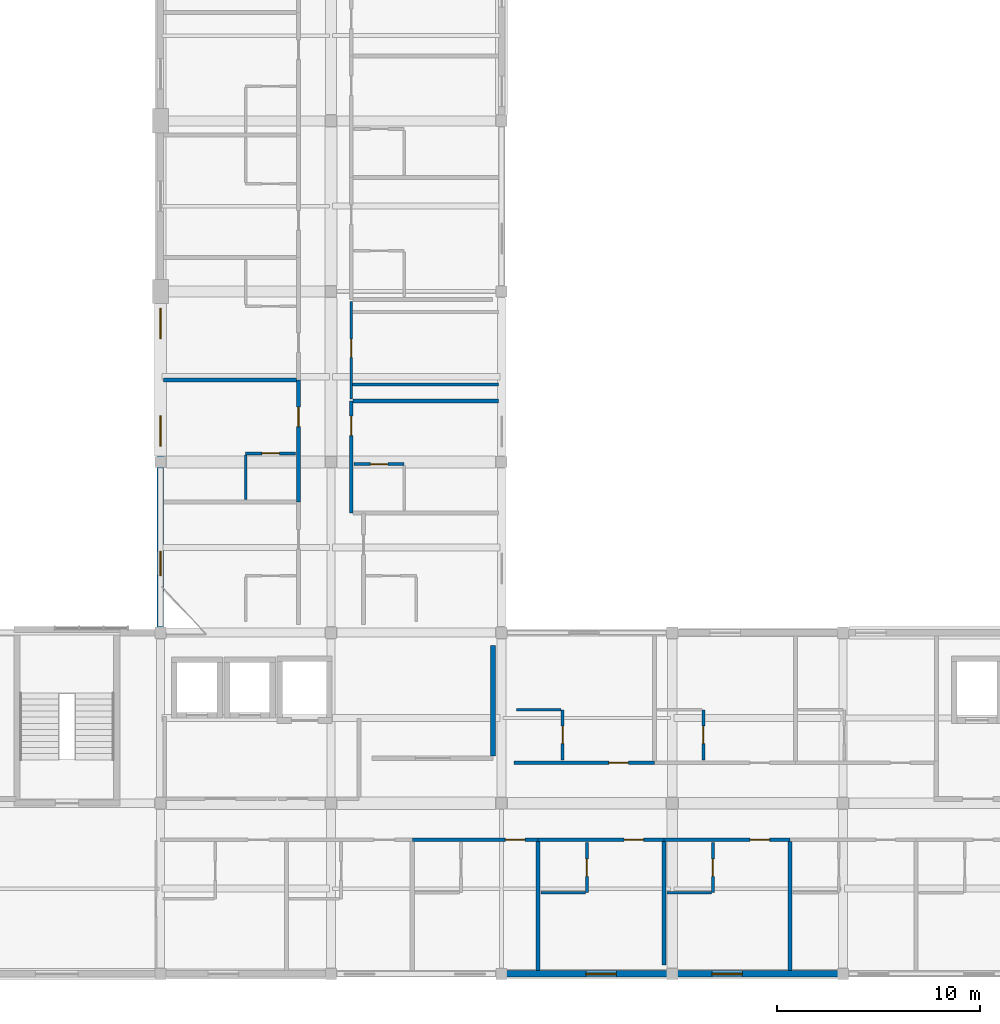
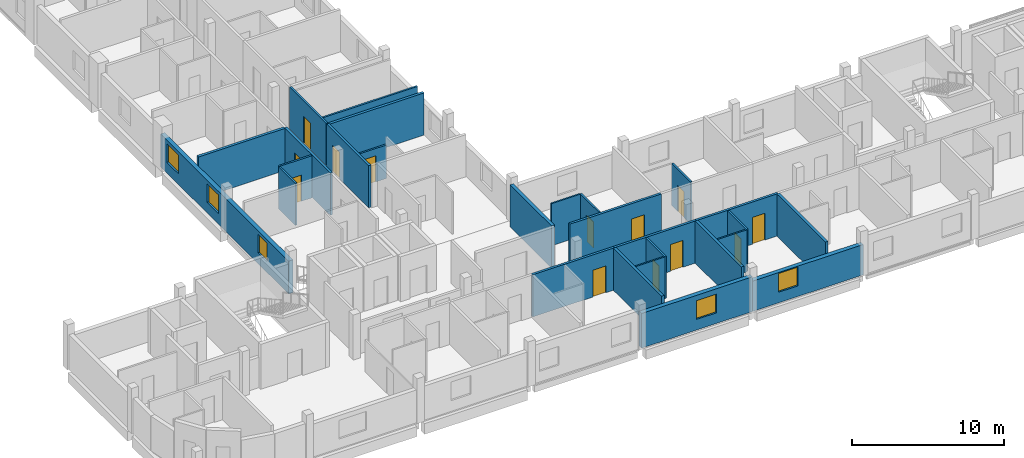
# One storey, part 14 of 26: 27 walls, 13 doors, 5 windows, 18 openings.
"""IFC4 building model written with IfcOpenShell, lengths in metres."""

from ifc_helpers import new_model, si_unit, derived_unit, direction, frame, frame_2d, origin, place, context, subcontext, project, spatial, rectangle, extrude, material, layer, layer_set, type_object, element, fill, save


model = new_model("IFC4")

# Units and contexts
model_context = context("Model", 3, precision=1e-05, world=origin(), true_north=direction((0.0, 1.0)))
body_context = subcontext(model_context, "Body", "Model", "MODEL_VIEW")
ifc_project = project(units=[si_unit("LENGTHUNIT", "METRE"), si_unit("AREAUNIT", "SQUARE_METRE"), si_unit("VOLUMEUNIT", "CUBIC_METRE"), si_unit("PLANEANGLEUNIT", "RADIAN"), si_unit("MASSUNIT", "GRAM", prefix="KILO"), derived_unit("THERMALTRANSMITTANCEUNIT", [(si_unit("POWERUNIT", "WATT"), 1), (si_unit("LENGTHUNIT", "METRE"), -2), (si_unit("THERMODYNAMICTEMPERATUREUNIT", "KELVIN"), -1)])], contexts=[model_context])

# Site, building, storey
site_placement = place(None, origin())
site = spatial("IfcSite", under=ifc_project, at=site_placement, CompositionType="ELEMENT")
building_placement = place(site_placement, origin())
building = spatial("IfcBuilding", under=site, at=building_placement, Name="Barrovel Congress Hotel", CompositionType="ELEMENT")
storey_placement = place(building_placement, frame((0.0, 0.0, 32.699951171875)))
storey = spatial("IfcBuildingStorey", under=building, at=storey_placement, Name="L08", CompositionType="ELEMENT", Elevation=32.699951171875)

# Wall, openings, windows
ifc_material_1 = material(Name="Fired Clay Brick Masonry", Category="masonry")
ifc_layer_1 = layer(ifc_material_1, 0.320068359375)
ifc_layer_set_1 = layer_set([ifc_layer_1], Name="Fired Clay Brick Masonry")
wall_type_1 = type_object("IfcWallType", Name="EW-BRK320", PredefinedType="STANDARD", material=ifc_layer_set_1)
wall_1_placement = place(storey_placement, frame((33.60009765625, 37.800048828125, 0.0), z_axis=(0.0, 0.0, 1.0), x_axis=(0.0, -1.0, 0.0)))
wall_1 = element("IfcWall", 1, at=wall_1_placement, inside=storey, type_object=wall_type_1, Name="EW:L08:HW-W", PredefinedType="STANDARD", context=body_context, shape_type="SweptSolid", body=[
    extrude(rectangle(XDim=16.800048828125, YDim=0.320068359375, at=frame_2d((8.39990234375, 0.0))), origin(), (0.0, 0.0, 1.0), 2.630126953125),
])
opening_1_placement = place(wall_1_placement, frame((12.78759765625, 0.0, 0.85009765625)))
opening_1 = element("IfcOpeningElement", 2, at=opening_1_placement, cuts=wall_1, Name="Opening WN-06", PredefinedType="OPENING", context=body_context, shape_type="SweptSolid", body=[
    extrude(rectangle(XDim=1.199951171875, YDim=1.5, at=frame_2d((0.60009765625, 0.75))), frame((0.0, 0.169921875, 0.0), z_axis=(0.0, -1.0, 0.0), x_axis=(1.0, 0.0, 0.0)), (0.0, 0.0, 1.0), 0.340087890625),
])
opening_2_placement = place(wall_1_placement, frame((6.112548828125, 0.0, 0.85009765625)))
opening_2 = element("IfcOpeningElement", 3, at=opening_2_placement, cuts=wall_1, Name="Opening WN-07", PredefinedType="OPENING", context=body_context, shape_type="SweptSolid", body=[
    extrude(rectangle(XDim=1.5, YDim=1.5, at=frame_2d((0.75, 0.75))), frame((0.0, 0.169921875, 0.0), z_axis=(0.0, -1.0, 0.0), x_axis=(1.0, 0.0, 0.0)), (0.0, 0.0, 1.0), 0.340087890625),
])
opening_3_placement = place(wall_1_placement, frame((0.83740234375, 0.0, 0.85009765625)))
opening_3 = element("IfcOpeningElement", 4, at=opening_3_placement, cuts=wall_1, Name="Opening WN-07", PredefinedType="OPENING", context=body_context, shape_type="SweptSolid", body=[
    extrude(rectangle(XDim=1.5, YDim=1.5, at=frame_2d((0.75, 0.75))), frame((0.0, 0.169921875, 0.0), z_axis=(0.0, -1.0, 0.0), x_axis=(1.0, 0.0, 0.0)), (0.0, 0.0, 1.0), 0.340087890625),
])
ifc_material_2 = material(Name="Double Low-E Insulated Glazing", Category="glass")
window_type_1 = type_object("IfcWindowType", Name="WIN-WN-06", PartitioningType="SINGLE_PANEL", PredefinedType="WINDOW", material=ifc_material_2)
window_1_placement = place(opening_1_placement, origin())
window_1 = element("IfcWindow", 5, at=window_1_placement, inside=storey, type_object=window_type_1, Name="WIN:L08:U25", OverallHeight=1.5, OverallWidth=1.199951171875, PartitioningType="SINGLE_PANEL", PredefinedType="WINDOW", context=body_context, shape_type="SweptSolid", body=[
    extrude(rectangle(XDim=1.199951171875, YDim=1.5, at=frame_2d((0.60009765625, 0.75))), frame((0.0, 0.030029296875, 0.0), z_axis=(0.0, -1.0, 0.0), x_axis=(1.0, 0.0, 0.0)), (0.0, 0.0, 1.0), 0.06005859375),
])
fill(opening_1, window_1)
window_type_2 = type_object("IfcWindowType", Name="WIN-WN-07", PartitioningType="SINGLE_PANEL", PredefinedType="WINDOW", material=ifc_material_2)
window_2_placement = place(opening_2_placement, origin())
window_2 = element("IfcWindow", 6, at=window_2_placement, inside=storey, type_object=window_type_2, Name="WIN:L08:U26", OverallHeight=1.5, OverallWidth=1.5, PartitioningType="SINGLE_PANEL", PredefinedType="WINDOW", context=body_context, shape_type="SweptSolid", body=[
    extrude(rectangle(XDim=1.5, YDim=1.5, at=frame_2d((0.75, 0.75))), frame((0.0, 0.030029296875, 0.0), z_axis=(0.0, -1.0, 0.0), x_axis=(1.0, 0.0, 0.0)), (0.0, 0.0, 1.0), 0.06005859375),
])
fill(opening_2, window_2)
window_3_placement = place(opening_3_placement, origin())
window_3 = element("IfcWindow", 7, at=window_3_placement, inside=storey, type_object=window_type_2, Name="WIN:L08:U27", OverallHeight=1.5, OverallWidth=1.5, PartitioningType="SINGLE_PANEL", PredefinedType="WINDOW", context=body_context, shape_type="SweptSolid", body=[
    extrude(rectangle(XDim=1.5, YDim=1.5, at=frame_2d((0.75, 0.75))), frame((0.0, 0.030029296875, 0.0), z_axis=(0.0, -1.0, 0.0), x_axis=(1.0, 0.0, 0.0)), (0.0, 0.0, 1.0), 0.06005859375),
])
fill(opening_3, window_3)

# Wall, opening, window
wall_2_placement = place(storey_placement, frame((50.39990234375, 4.199951171875, 0.0), z_axis=(0.0, 0.0, 1.0), x_axis=(1.0, 0.0, 0.0)))
wall_2 = element("IfcWall", 8, at=wall_2_placement, inside=storey, type_object=wall_type_1, Name="EW:L08:HS-S:P05", PredefinedType="STANDARD", context=body_context, shape_type="SweptSolid", body=[
    extrude(rectangle(XDim=8.400146484375, YDim=0.320068359375, at=frame_2d((4.2001953125, 0.0))), origin(), (0.0, 0.0, 1.0), 2.780029296875),
])
opening_4_placement = place(wall_2_placement, frame((4.14990234375, 0.0, 0.85009765625)))
opening_4 = element("IfcOpeningElement", 9, at=opening_4_placement, cuts=wall_2, Name="Opening WN-07", PredefinedType="OPENING", context=body_context, shape_type="SweptSolid", body=[
    extrude(rectangle(XDim=1.5, YDim=1.5, at=frame_2d((0.75, 0.75))), frame((0.0, 0.169921875, 0.0), z_axis=(0.0, -1.0, 0.0), x_axis=(1.0, 0.0, 0.0)), (0.0, 0.0, 1.0), 0.340087890625),
])
window_4_placement = place(opening_4_placement, origin())
window_4 = element("IfcWindow", 10, at=window_4_placement, inside=storey, type_object=window_type_2, Name="WIN:L08:U05", OverallHeight=1.5, OverallWidth=1.5, PartitioningType="SINGLE_PANEL", PredefinedType="WINDOW", context=body_context, shape_type="SweptSolid", body=[
    extrude(rectangle(XDim=1.5, YDim=1.5, at=frame_2d((0.75, 0.75))), frame((0.0, 0.030029296875, 0.0), z_axis=(0.0, -1.0, 0.0), x_axis=(1.0, 0.0, 0.0)), (0.0, 0.0, 1.0), 0.06005859375),
])
fill(opening_4, window_4)

wall_3_placement = place(storey_placement, frame((58.800048828125, 4.199951171875, 0.0), z_axis=(0.0, 0.0, 1.0), x_axis=(1.0, 0.0, 0.0)))
wall_3 = element("IfcWall", 11, at=wall_3_placement, inside=storey, type_object=wall_type_1, Name="EW:L08:HS-S:P06", PredefinedType="STANDARD", context=body_context, shape_type="SweptSolid", body=[
    extrude(rectangle(XDim=8.39990234375, YDim=0.320068359375, at=frame_2d((4.199951171875, 0.0))), origin(), (0.0, 0.0, 1.0), 2.429931640625),
])
opening_5_placement = place(wall_3_placement, frame((1.949951171875, 0.0, 0.85009765625)))
opening_5 = element("IfcOpeningElement", 12, at=opening_5_placement, cuts=wall_3, Name="Opening WN-07", PredefinedType="OPENING", context=body_context, shape_type="SweptSolid", body=[
    extrude(rectangle(XDim=1.5, YDim=1.5, at=frame_2d((0.75, 0.75))), frame((0.0, 0.169921875, 0.0), z_axis=(0.0, -1.0, 0.0), x_axis=(1.0, 0.0, 0.0)), (0.0, 0.0, 1.0), 0.340087890625),
])
window_5_placement = place(opening_5_placement, origin())
window_5 = element("IfcWindow", 13, at=window_5_placement, inside=storey, type_object=window_type_2, Name="WIN:L08:U06", OverallHeight=1.5, OverallWidth=1.5, PartitioningType="SINGLE_PANEL", PredefinedType="WINDOW", context=body_context, shape_type="SweptSolid", body=[
    extrude(rectangle(XDim=1.5, YDim=1.5, at=frame_2d((0.75, 0.75))), frame((0.0, 0.030029296875, 0.0), z_axis=(0.0, -1.0, 0.0), x_axis=(1.0, 0.0, 0.0)), (0.0, 0.0, 1.0), 0.06005859375),
])
fill(opening_5, window_5)

# Wall, opening, door
ifc_material_3 = material(Name="Gypsum Acoustic Stud", Category="gypsum")
ifc_layer_2 = layer(ifc_material_3, 0.179931640625)
ifc_layer_set_2 = layer_set([ifc_layer_2], Name="Gypsum Acoustic Stud")
wall_type_2 = type_object("IfcWallType", Name="PW-ACU-180", PredefinedType="PARTITIONING", material=ifc_layer_set_2)
wall_4_placement = place(storey_placement, frame((46.0, 10.800048828125, 0.0), z_axis=(0.0, 0.0, 1.0), x_axis=(1.0, 0.0, 0.0)))
wall_4 = element("IfcWall", 14, at=wall_4_placement, inside=storey, type_object=wall_type_2, Name="PW:L08:U04:COR", PredefinedType="PARTITIONING", context=body_context, shape_type="SweptSolid", body=[
    extrude(rectangle(XDim=6.199951171875, YDim=0.179931640625, at=frame_2d((3.10009765625, 0.0))), origin(), (0.0, 0.0, 1.0), 3.375),
])
opening_6_placement = place(wall_4_placement, frame((4.5810546875, 0.0, 0.0)))
opening_6 = element("IfcOpeningElement", 15, at=opening_6_placement, cuts=wall_4, Name="Opening ID-HTL", PredefinedType="OPENING", context=body_context, shape_type="SweptSolid", body=[
    extrude(rectangle(XDim=0.9599609375, YDim=2.14990234375, at=frame_2d((0.47998046875, 1.074951171875))), frame((0.0, 0.10009765625, 0.0), z_axis=(0.0, -1.0, 0.0), x_axis=(1.0, 0.0, 0.0)), (0.0, 0.0, 1.0), 0.199951171875),
])
ifc_material_4 = material(Name="Solid Oak Acoustic Timber Door", Category="wood")
door_type_1 = type_object("IfcDoorType", Name="IDR-ID-HTL", OperationType="NOTDEFINED", PredefinedType="DOOR", material=ifc_material_4)
door_1_placement = place(opening_6_placement, origin())
door_1 = element("IfcDoor", 16, at=door_1_placement, inside=storey, type_object=door_type_1, Name="DR:L08:U04:ENT", OperationType="SINGLE_SWING_RIGHT", OverallHeight=2.14990234375, OverallWidth=0.9599609375, PredefinedType="DOOR", context=body_context, shape_type="SweptSolid", body=[
    extrude(rectangle(XDim=0.9599609375, YDim=2.14990234375, at=frame_2d((0.47998046875, 1.074951171875))), frame((0.0, 0.02490234375, 0.0), z_axis=(0.0, -1.0, 0.0), x_axis=(1.0, 0.0, 0.0)), (0.0, 0.0, 1.0), 0.050048828125),
])
fill(opening_6, door_1)

wall_5_placement = place(storey_placement, frame((52.199951171875, 10.800048828125, 0.0), z_axis=(0.0, 0.0, 1.0), x_axis=(1.0, 0.0, 0.0)))
wall_5 = element("IfcWall", 17, at=wall_5_placement, inside=storey, type_object=wall_type_2, Name="PW:L08:U05:COR", PredefinedType="PARTITIONING", context=body_context, shape_type="SweptSolid", body=[
    extrude(rectangle(XDim=6.199951171875, YDim=0.179931640625, at=frame_2d((3.10009765625, 0.0))), origin(), (0.0, 0.0, 1.0), 3.375),
])
opening_7_placement = place(wall_5_placement, frame((4.23095703125, 0.0, 0.0)))
opening_7 = element("IfcOpeningElement", 18, at=opening_7_placement, cuts=wall_5, Name="Opening ID-HTL", PredefinedType="OPENING", context=body_context, shape_type="SweptSolid", body=[
    extrude(rectangle(XDim=0.9599609375, YDim=2.14990234375, at=frame_2d((0.47998046875, 1.074951171875))), frame((0.0, 0.10009765625, 0.0), z_axis=(0.0, -1.0, 0.0), x_axis=(1.0, 0.0, 0.0)), (0.0, 0.0, 1.0), 0.199951171875),
])
door_2_placement = place(opening_7_placement, origin())
door_2 = element("IfcDoor", 19, at=door_2_placement, inside=storey, type_object=door_type_1, Name="DR:L08:U05:ENT", OperationType="SINGLE_SWING_RIGHT", OverallHeight=2.14990234375, OverallWidth=0.9599609375, PredefinedType="DOOR", context=body_context, shape_type="SweptSolid", body=[
    extrude(rectangle(XDim=0.9599609375, YDim=2.14990234375, at=frame_2d((0.47998046875, 1.074951171875))), frame((0.0, 0.02490234375, 0.0), z_axis=(0.0, -1.0, 0.0), x_axis=(1.0, 0.0, 0.0)), (0.0, 0.0, 1.0), 0.050048828125),
])
fill(opening_7, door_2)

wall_6_placement = place(storey_placement, frame((58.39990234375, 10.800048828125, 0.0), z_axis=(0.0, 0.0, 1.0), x_axis=(1.0, 0.0, 0.0)))
wall_6 = element("IfcWall", 20, at=wall_6_placement, inside=storey, type_object=wall_type_2, Name="PW:L08:U06:COR", PredefinedType="PARTITIONING", context=body_context, shape_type="SweptSolid", body=[
    extrude(rectangle(XDim=6.2001953125, YDim=0.179931640625, at=frame_2d((3.10009765625, 0.0))), origin(), (0.0, 0.0, 1.0), 3.375),
])
opening_8_placement = place(wall_6_placement, frame((4.23095703125, 0.0, 0.0)))
opening_8 = element("IfcOpeningElement", 21, at=opening_8_placement, cuts=wall_6, Name="Opening ID-HTL", PredefinedType="OPENING", context=body_context, shape_type="SweptSolid", body=[
    extrude(rectangle(XDim=0.9599609375, YDim=2.14990234375, at=frame_2d((0.47998046875, 1.074951171875))), frame((0.0, 0.10009765625, 0.0), z_axis=(0.0, -1.0, 0.0), x_axis=(1.0, 0.0, 0.0)), (0.0, 0.0, 1.0), 0.199951171875),
])
door_3_placement = place(opening_8_placement, origin())
door_3 = element("IfcDoor", 22, at=door_3_placement, inside=storey, type_object=door_type_1, Name="DR:L08:U06:ENT", OperationType="SINGLE_SWING_RIGHT", OverallHeight=2.14990234375, OverallWidth=0.9599609375, PredefinedType="DOOR", context=body_context, shape_type="SweptSolid", body=[
    extrude(rectangle(XDim=0.9599609375, YDim=2.14990234375, at=frame_2d((0.47998046875, 1.074951171875))), frame((0.0, 0.02490234375, 0.0), z_axis=(0.0, -1.0, 0.0), x_axis=(1.0, 0.0, 0.0)), (0.0, 0.0, 1.0), 0.050048828125),
])
fill(opening_8, door_3)

wall_7_placement = place(storey_placement, frame((51.0, 14.60009765625, 0.0), z_axis=(0.0, 0.0, 1.0), x_axis=(1.0, 0.0, 0.0)))
wall_7 = element("IfcWall", 23, at=wall_7_placement, inside=storey, type_object=wall_type_2, Name="PW:L08:U17:COR", PredefinedType="PARTITIONING", context=body_context, shape_type="SweptSolid", body=[
    extrude(rectangle(XDim=6.933349609375, YDim=0.179931640625, at=frame_2d((3.466796875, 0.0))), origin(), (0.0, 0.0, 1.0), 3.375),
])
opening_9_placement = place(wall_7_placement, frame((4.685546875, 0.0, 0.0)))
opening_9 = element("IfcOpeningElement", 24, at=opening_9_placement, cuts=wall_7, Name="Opening ID-HTL", PredefinedType="OPENING", context=body_context, shape_type="SweptSolid", body=[
    extrude(rectangle(XDim=0.9599609375, YDim=2.14990234375, at=frame_2d((0.47998046875, 1.074951171875))), frame((0.0, 0.10009765625, 0.0), z_axis=(0.0, -1.0, 0.0), x_axis=(1.0, 0.0, 0.0)), (0.0, 0.0, 1.0), 0.199951171875),
])
door_4_placement = place(opening_9_placement, origin())
door_4 = element("IfcDoor", 25, at=door_4_placement, inside=storey, type_object=door_type_1, Name="DR:L08:U17:ENT", OperationType="SINGLE_SWING_RIGHT", OverallHeight=2.14990234375, OverallWidth=0.9599609375, PredefinedType="DOOR", context=body_context, shape_type="SweptSolid", body=[
    extrude(rectangle(XDim=0.9599609375, YDim=2.14990234375, at=frame_2d((0.47998046875, 1.074951171875))), frame((0.0, 0.02490234375, 0.0), z_axis=(0.0, -1.0, 0.0), x_axis=(1.0, 0.0, 0.0)), (0.0, 0.0, 1.0), 0.050048828125),
])
fill(opening_9, door_4)

wall_8_placement = place(storey_placement, frame((40.39990234375, 27.425048828125, 0.0), z_axis=(0.0, 0.0, 1.0), x_axis=(0.0, 1.0, 0.0)))
wall_8 = element("IfcWall", 26, at=wall_8_placement, inside=storey, type_object=wall_type_2, Name="PW:L08:U26:COR", PredefinedType="PARTITIONING", context=body_context, shape_type="SweptSolid", body=[
    extrude(rectangle(XDim=6.02490234375, YDim=0.179931640625, at=frame_2d((3.012451171875, 0.0))), origin(), (0.0, 0.0, 1.0), 3.375),
])
opening_10_placement = place(wall_8_placement, frame((3.717529296875, 0.0, 0.0)))
opening_10 = element("IfcOpeningElement", 27, at=opening_10_placement, cuts=wall_8, Name="Opening ID-HTL", PredefinedType="OPENING", context=body_context, shape_type="SweptSolid", body=[
    extrude(rectangle(XDim=0.9599609375, YDim=2.14990234375, at=frame_2d((0.47998046875, 1.074951171875))), frame((0.0, 0.10009765625, 0.0), z_axis=(0.0, -1.0, 0.0), x_axis=(1.0, 0.0, 0.0)), (0.0, 0.0, 1.0), 0.199951171875),
])
door_5_placement = place(opening_10_placement, origin())
door_5 = element("IfcDoor", 28, at=door_5_placement, inside=storey, type_object=door_type_1, Name="DR:L08:U26:ENT", OperationType="SINGLE_SWING_RIGHT", OverallHeight=2.14990234375, OverallWidth=0.9599609375, PredefinedType="DOOR", context=body_context, shape_type="SweptSolid", body=[
    extrude(rectangle(XDim=0.9599609375, YDim=2.14990234375, at=frame_2d((0.47998046875, 1.074951171875))), frame((0.0, 0.02490234375, 0.0), z_axis=(0.0, -1.0, 0.0), x_axis=(1.0, 0.0, 0.0)), (0.0, 0.0, 1.0), 0.050048828125),
])
fill(opening_10, door_5)

wall_9_placement = place(storey_placement, frame((43.0, 26.89990234375, 0.0), z_axis=(0.0, 0.0, 1.0), x_axis=(0.0, 1.0, 0.0)))
wall_9 = element("IfcWall", 29, at=wall_9_placement, inside=storey, type_object=wall_type_2, Name="PW:L08:U34:COR", PredefinedType="PARTITIONING", context=body_context, shape_type="SweptSolid", body=[
    extrude(rectangle(XDim=5.5, YDim=0.179931640625, at=frame_2d((2.75, 0.0))), origin(), (0.0, 0.0, 1.0), 3.375),
])
opening_11_placement = place(wall_9_placement, frame((3.804931640625, 0.0, 0.0)))
opening_11 = element("IfcOpeningElement", 30, at=opening_11_placement, cuts=wall_9, Name="Opening ID-HTL", PredefinedType="OPENING", context=body_context, shape_type="SweptSolid", body=[
    extrude(rectangle(XDim=0.9599609375, YDim=2.14990234375, at=frame_2d((0.47998046875, 1.074951171875))), frame((0.0, 0.10009765625, 0.0), z_axis=(0.0, -1.0, 0.0), x_axis=(1.0, 0.0, 0.0)), (0.0, 0.0, 1.0), 0.199951171875),
])
door_6_placement = place(opening_11_placement, origin())
door_6 = element("IfcDoor", 31, at=door_6_placement, inside=storey, type_object=door_type_1, Name="DR:L08:U34:ENT", OperationType="SINGLE_SWING_RIGHT", OverallHeight=2.14990234375, OverallWidth=0.9599609375, PredefinedType="DOOR", context=body_context, shape_type="SweptSolid", body=[
    extrude(rectangle(XDim=0.9599609375, YDim=2.14990234375, at=frame_2d((0.47998046875, 1.074951171875))), frame((0.0, 0.02490234375, 0.0), z_axis=(0.0, -1.0, 0.0), x_axis=(1.0, 0.0, 0.0)), (0.0, 0.0, 1.0), 0.050048828125),
])
fill(opening_11, door_6)

# Walls
ifc_layer_3 = layer(ifc_material_3, 0.1201171875)
ifc_layer_set_3 = layer_set([ifc_layer_3], Name="Gypsum Acoustic Stud")
wall_type_3 = type_object("IfcWallType", Name="PW-INT-120", PredefinedType="PARTITIONING", material=ifc_layer_set_3)
for number, where, z_axis, x_axis, name in (
    (32, (52.340087890625, 8.199951171875, 0.0), (0.0, 0.0, 1.0), (1.0, 0.0, 0.0), "PW:L08:U05:B2"),
    (33, (58.5400390625, 8.199951171875, 0.0), (0.0, 0.0, 1.0), (1.0, 0.0, 0.0), "PW:L08:U06:B2"),
):
    element("IfcWall", number, at=place(storey_placement, frame(where, z_axis=z_axis, x_axis=x_axis)), inside=storey, type_object=wall_type_3, Name=name, PredefinedType="PARTITIONING", context=body_context, shape_type="SweptSolid", body=[
        extrude(rectangle(XDim=2.18994140625, YDim=0.1201171875, at=frame_2d((1.094970703125, 0.0))), origin(), (0.0, 0.0, 1.0), 3.375),
    ])
wall_10_placement = place(storey_placement, frame((51.139892578125, 17.199951171875, 0.0), z_axis=(0.0, 0.0, 1.0), x_axis=(1.0, 0.0, 0.0)))
element("IfcWall", 34, at=wall_10_placement, inside=storey, type_object=wall_type_3, Name="PW:L08:U17:B2", PredefinedType="PARTITIONING", context=body_context, shape_type="SweptSolid", body=[
    extrude(rectangle(XDim=2.190185546875, YDim=0.1201171875, at=frame_2d((1.09521484375, 0.0))), origin(), (0.0, 0.0, 1.0), 3.375),
])
wall_11_placement = place(storey_placement, frame((37.800048828125, 27.56494140625, 0.0), z_axis=(0.0, 0.0, 1.0), x_axis=(0.0, 1.0, 0.0)))
element("IfcWall", 35, at=wall_11_placement, inside=storey, type_object=wall_type_3, Name="PW:L08:U26:B2", PredefinedType="PARTITIONING", context=body_context, shape_type="SweptSolid", body=[
    extrude(rectangle(XDim=2.18994140625, YDim=0.1201171875, at=frame_2d((1.094970703125, 0.0))), origin(), (0.0, 0.0, 1.0), 3.375),
])
ifc_layer_4 = layer(ifc_material_1, 0.199951171875)
ifc_layer_set_4 = layer_set([ifc_layer_4], Name="Fired Clay Brick Masonry")
wall_type_4 = type_object("IfcWallType", Name="PW-MAS-200", PredefinedType="PARTITIONING", material=ifc_layer_set_4)
wall_12_placement = place(storey_placement, frame((52.199951171875, 4.360107421875, 0.0), z_axis=(0.0, 0.0, 1.0), x_axis=(0.0, 1.0, 0.0)))
element("IfcWall", 36, at=wall_12_placement, inside=storey, type_object=wall_type_4, Name="PW:L08:U04:DEM", PredefinedType="PARTITIONING", context=body_context, shape_type="SweptSolid", body=[
    extrude(rectangle(XDim=6.349853515625, YDim=0.199951171875, at=frame_2d((3.1748046875, 0.0))), origin(), (0.0, 0.0, 1.0), 3.375),
])
wall_13_placement = place(storey_placement, frame((58.39990234375, 4.64990234375, 0.0), z_axis=(0.0, 0.0, 1.0), x_axis=(0.0, 1.0, 0.0)))
element("IfcWall", 37, at=wall_13_placement, inside=storey, type_object=wall_type_4, Name="PW:L08:U05:DEM", PredefinedType="PARTITIONING", context=body_context, shape_type="SweptSolid", body=[
    extrude(rectangle(XDim=6.06005859375, YDim=0.199951171875, at=frame_2d((3.030029296875, 0.0))), origin(), (0.0, 0.0, 1.0), 3.375),
])
wall_14_placement = place(storey_placement, frame((64.60009765625, 4.360107421875, 0.0), z_axis=(0.0, 0.0, 1.0), x_axis=(0.0, 1.0, 0.0)))
element("IfcWall", 38, at=wall_14_placement, inside=storey, type_object=wall_type_4, Name="PW:L08:U06:DEM", PredefinedType="PARTITIONING", context=body_context, shape_type="SweptSolid", body=[
    extrude(rectangle(XDim=6.349853515625, YDim=0.199951171875, at=frame_2d((3.1748046875, 0.0))), origin(), (0.0, 0.0, 1.0), 3.375),
])
wall_15_placement = place(storey_placement, frame((33.760009765625, 33.449951171875, 0.0), z_axis=(0.0, 0.0, 1.0), x_axis=(1.0, 0.0, 0.0)))
element("IfcWall", 39, at=wall_15_placement, inside=storey, type_object=wall_type_4, Name="PW:L08:U26:DEM", PredefinedType="PARTITIONING", context=body_context, shape_type="SweptSolid", body=[
    extrude(rectangle(XDim=6.550048828125, YDim=0.199951171875, at=frame_2d((3.27490234375, 0.0))), origin(), (0.0, 0.0, 1.0), 3.375),
])
wall_16_placement = place(storey_placement, frame((43.090087890625, 32.39990234375, 0.0), z_axis=(0.0, 0.0, 1.0), x_axis=(1.0, 0.0, 0.0)))
element("IfcWall", 40, at=wall_16_placement, inside=storey, type_object=wall_type_4, Name="PW:L08:U34:DEM", PredefinedType="PARTITIONING", context=body_context, shape_type="SweptSolid", body=[
    extrude(rectangle(XDim=7.14990234375, YDim=0.199951171875, at=frame_2d((3.574951171875, 0.0))), origin(), (0.0, 0.0, 1.0), 3.375),
])
ifc_layer_5 = layer(ifc_material_1, 0.239990234375)
ifc_layer_set_5 = layer_set([ifc_layer_5], Name="Fired Clay Brick Masonry")
wall_type_5 = type_object("IfcWallType", Name="PW-MAS-240", PredefinedType="PARTITIONING", material=ifc_layer_set_5)
wall_17_placement = place(storey_placement, frame((49.97998046875, 14.93994140625, 0.0), z_axis=(0.0, 0.0, 1.0), x_axis=(0.0, 1.0, 0.0)))
element("IfcWall", 41, at=wall_17_placement, inside=storey, type_object=wall_type_5, Name="RW:SP:L08:LINEN:E", PredefinedType="PARTITIONING", context=body_context, shape_type="SweptSolid", body=[
    extrude(rectangle(XDim=5.43994140625, YDim=0.239990234375, at=frame_2d((2.719970703125, 0.0))), origin(), (0.0, 0.0, 1.0), 3.375),
])

# Wall, opening, door
ifc_material_5 = material(Name="Gypsum Moisture Board", Category="gypsum")
ifc_layer_6 = layer(ifc_material_5, 0.139892578125)
ifc_layer_set_6 = layer_set([ifc_layer_6], Name="Gypsum Moisture Board")
wall_type_6 = type_object("IfcWallType", Name="PW-WET-140", PredefinedType="PARTITIONING", material=ifc_layer_set_6)
wall_18_placement = place(storey_placement, frame((54.60009765625, 8.199951171875, 0.0), z_axis=(0.0, 0.0, 1.0), x_axis=(0.0, 1.0, 0.0)))
wall_18 = element("IfcWall", 42, at=wall_18_placement, inside=storey, type_object=wall_type_6, Name="PW:L08:U05:B1", PredefinedType="PARTITIONING", context=body_context, shape_type="SweptSolid", body=[
    extrude(rectangle(XDim=2.4599609375, YDim=0.139892578125, at=frame_2d((1.22998046875, 0.0))), origin(), (0.0, 0.0, 1.0), 3.375),
])
opening_12_placement = place(wall_18_placement, frame((0.800048828125, 0.0, 0.0)))
opening_12 = element("IfcOpeningElement", 43, at=opening_12_placement, cuts=wall_18, Name="Opening ID-ENS", PredefinedType="OPENING", context=body_context, shape_type="SweptSolid", body=[
    extrude(rectangle(XDim=0.860107421875, YDim=2.10009765625, at=frame_2d((0.43017578125, 1.050048828125))), frame((0.0, 0.080078125, 0.0), z_axis=(0.0, -1.0, 0.0), x_axis=(1.0, 0.0, 0.0)), (0.0, 0.0, 1.0), 0.159912109375),
])
ifc_material_6 = material(Name="Lacquered Timber Moisture Door", Category="wood")
door_type_2 = type_object("IfcDoorType", Name="IDR-ID-ENS", OperationType="NOTDEFINED", PredefinedType="DOOR", material=ifc_material_6)
door_7_placement = place(opening_12_placement, origin())
door_7 = element("IfcDoor", 44, at=door_7_placement, inside=storey, type_object=door_type_2, Name="DR:L08:U05:ENS", OperationType="SINGLE_SWING_LEFT", OverallHeight=2.10009765625, OverallWidth=0.860107421875, PredefinedType="DOOR", context=body_context, shape_type="SweptSolid", body=[
    extrude(rectangle(XDim=0.860107421875, YDim=2.10009765625, at=frame_2d((0.43017578125, 1.050048828125))), frame((0.0, 0.02490234375, 0.0), z_axis=(0.0, -1.0, 0.0), x_axis=(1.0, 0.0, 0.0)), (0.0, 0.0, 1.0), 0.050048828125),
])
fill(opening_12, door_7)

wall_19_placement = place(storey_placement, frame((60.800048828125, 8.199951171875, 0.0), z_axis=(0.0, 0.0, 1.0), x_axis=(0.0, 1.0, 0.0)))
wall_19 = element("IfcWall", 45, at=wall_19_placement, inside=storey, type_object=wall_type_6, Name="PW:L08:U06:B1", PredefinedType="PARTITIONING", context=body_context, shape_type="SweptSolid", body=[
    extrude(rectangle(XDim=2.4599609375, YDim=0.139892578125, at=frame_2d((1.22998046875, 0.0))), origin(), (0.0, 0.0, 1.0), 3.375),
])
opening_13_placement = place(wall_19_placement, frame((0.800048828125, 0.0, 0.0)))
opening_13 = element("IfcOpeningElement", 46, at=opening_13_placement, cuts=wall_19, Name="Opening ID-ENS", PredefinedType="OPENING", context=body_context, shape_type="SweptSolid", body=[
    extrude(rectangle(XDim=0.860107421875, YDim=2.10009765625, at=frame_2d((0.43017578125, 1.050048828125))), frame((0.0, 0.080078125, 0.0), z_axis=(0.0, -1.0, 0.0), x_axis=(1.0, 0.0, 0.0)), (0.0, 0.0, 1.0), 0.159912109375),
])
door_8_placement = place(opening_13_placement, origin())
door_8 = element("IfcDoor", 47, at=door_8_placement, inside=storey, type_object=door_type_2, Name="DR:L08:U06:ENS", OperationType="SINGLE_SWING_LEFT", OverallHeight=2.10009765625, OverallWidth=0.860107421875, PredefinedType="DOOR", context=body_context, shape_type="SweptSolid", body=[
    extrude(rectangle(XDim=0.860107421875, YDim=2.10009765625, at=frame_2d((0.43017578125, 1.050048828125))), frame((0.0, 0.02490234375, 0.0), z_axis=(0.0, -1.0, 0.0), x_axis=(1.0, 0.0, 0.0)), (0.0, 0.0, 1.0), 0.050048828125),
])
fill(opening_13, door_8)

wall_20_placement = place(storey_placement, frame((53.39990234375, 14.739990234375, 0.0), z_axis=(0.0, 0.0, 1.0), x_axis=(0.0, 1.0, 0.0)))
wall_20 = element("IfcWall", 48, at=wall_20_placement, inside=storey, type_object=wall_type_6, Name="PW:L08:U17:B1", PredefinedType="PARTITIONING", context=body_context, shape_type="SweptSolid", body=[
    extrude(rectangle(XDim=2.4599609375, YDim=0.139892578125, at=frame_2d((1.22998046875, 0.0))), origin(), (0.0, 0.0, 1.0), 3.375),
])
opening_14_placement = place(wall_20_placement, frame((0.800048828125, 0.0, 0.0)))
opening_14 = element("IfcOpeningElement", 49, at=opening_14_placement, cuts=wall_20, Name="Opening ID-ENS", PredefinedType="OPENING", context=body_context, shape_type="SweptSolid", body=[
    extrude(rectangle(XDim=0.860107421875, YDim=2.10009765625, at=frame_2d((0.43017578125, 1.050048828125))), frame((0.0, 0.080078125, 0.0), z_axis=(0.0, -1.0, 0.0), x_axis=(1.0, 0.0, 0.0)), (0.0, 0.0, 1.0), 0.159912109375),
])
door_9_placement = place(opening_14_placement, origin())
door_9 = element("IfcDoor", 50, at=door_9_placement, inside=storey, type_object=door_type_2, Name="DR:L08:U17:ENS", OperationType="SINGLE_SWING_LEFT", OverallHeight=2.10009765625, OverallWidth=0.860107421875, PredefinedType="DOOR", context=body_context, shape_type="SweptSolid", body=[
    extrude(rectangle(XDim=0.860107421875, YDim=2.10009765625, at=frame_2d((0.43017578125, 1.050048828125))), frame((0.0, 0.02490234375, 0.0), z_axis=(0.0, -1.0, 0.0), x_axis=(1.0, 0.0, 0.0)), (0.0, 0.0, 1.0), 0.050048828125),
])
fill(opening_14, door_9)

wall_21_placement = place(storey_placement, frame((60.333251953125, 14.739990234375, 0.0), z_axis=(0.0, 0.0, 1.0), x_axis=(0.0, 1.0, 0.0)))
wall_21 = element("IfcWall", 51, at=wall_21_placement, inside=storey, type_object=wall_type_6, Name="PW:L08:U18:B1", PredefinedType="PARTITIONING", context=body_context, shape_type="SweptSolid", body=[
    extrude(rectangle(XDim=2.4599609375, YDim=0.139892578125, at=frame_2d((1.22998046875, 0.0))), origin(), (0.0, 0.0, 1.0), 3.375),
])
opening_15_placement = place(wall_21_placement, frame((0.800048828125, 0.0, 0.0)))
opening_15 = element("IfcOpeningElement", 52, at=opening_15_placement, cuts=wall_21, Name="Opening ID-ENS", PredefinedType="OPENING", context=body_context, shape_type="SweptSolid", body=[
    extrude(rectangle(XDim=0.860107421875, YDim=2.10009765625, at=frame_2d((0.43017578125, 1.050048828125))), frame((0.0, 0.080078125, 0.0), z_axis=(0.0, -1.0, 0.0), x_axis=(1.0, 0.0, 0.0)), (0.0, 0.0, 1.0), 0.159912109375),
])
door_10_placement = place(opening_15_placement, origin())
door_10 = element("IfcDoor", 53, at=door_10_placement, inside=storey, type_object=door_type_2, Name="DR:L08:U18:ENS", OperationType="SINGLE_SWING_LEFT", OverallHeight=2.10009765625, OverallWidth=0.860107421875, PredefinedType="DOOR", context=body_context, shape_type="SweptSolid", body=[
    extrude(rectangle(XDim=0.860107421875, YDim=2.10009765625, at=frame_2d((0.43017578125, 1.050048828125))), frame((0.0, 0.02490234375, 0.0), z_axis=(0.0, -1.0, 0.0), x_axis=(1.0, 0.0, 0.0)), (0.0, 0.0, 1.0), 0.050048828125),
])
fill(opening_15, door_10)

wall_22_placement = place(storey_placement, frame((37.800048828125, 29.824951171875, 0.0), z_axis=(0.0, 0.0, 1.0), x_axis=(1.0, 0.0, 0.0)))
wall_22 = element("IfcWall", 54, at=wall_22_placement, inside=storey, type_object=wall_type_6, Name="PW:L08:U26:B1", PredefinedType="PARTITIONING", context=body_context, shape_type="SweptSolid", body=[
    extrude(rectangle(XDim=2.4599609375, YDim=0.139892578125, at=frame_2d((1.22998046875, 0.0))), origin(), (0.0, 0.0, 1.0), 3.375),
])
opening_16_placement = place(wall_22_placement, frame((0.800048828125, 0.0, 0.0)))
opening_16 = element("IfcOpeningElement", 55, at=opening_16_placement, cuts=wall_22, Name="Opening ID-ENS", PredefinedType="OPENING", context=body_context, shape_type="SweptSolid", body=[
    extrude(rectangle(XDim=0.860107421875, YDim=2.10009765625, at=frame_2d((0.43017578125, 1.050048828125))), frame((0.0, 0.080078125, 0.0), z_axis=(0.0, -1.0, 0.0), x_axis=(1.0, 0.0, 0.0)), (0.0, 0.0, 1.0), 0.159912109375),
])
door_11_placement = place(opening_16_placement, origin())
door_11 = element("IfcDoor", 56, at=door_11_placement, inside=storey, type_object=door_type_2, Name="DR:L08:U26:ENS", OperationType="SINGLE_SWING_LEFT", OverallHeight=2.10009765625, OverallWidth=0.860107421875, PredefinedType="DOOR", context=body_context, shape_type="SweptSolid", body=[
    extrude(rectangle(XDim=0.860107421875, YDim=2.10009765625, at=frame_2d((0.43017578125, 1.050048828125))), frame((0.0, 0.02490234375, 0.0), z_axis=(0.0, -1.0, 0.0), x_axis=(1.0, 0.0, 0.0)), (0.0, 0.0, 1.0), 0.050048828125),
])
fill(opening_16, door_11)

wall_23_placement = place(storey_placement, frame((43.139892578125, 29.300048828125, 0.0), z_axis=(0.0, 0.0, 1.0), x_axis=(1.0, 0.0, 0.0)))
wall_23 = element("IfcWall", 57, at=wall_23_placement, inside=storey, type_object=wall_type_6, Name="PW:L08:U34:B1", PredefinedType="PARTITIONING", context=body_context, shape_type="SweptSolid", body=[
    extrude(rectangle(XDim=2.460205078125, YDim=0.139892578125, at=frame_2d((1.22998046875, 0.0))), origin(), (0.0, 0.0, 1.0), 2.679931640625),
])
opening_17_placement = place(wall_23_placement, frame((0.800048828125, 0.0, 0.0)))
opening_17 = element("IfcOpeningElement", 58, at=opening_17_placement, cuts=wall_23, Name="Opening ID-ENS", PredefinedType="OPENING", context=body_context, shape_type="SweptSolid", body=[
    extrude(rectangle(XDim=0.860107421875, YDim=2.10009765625, at=frame_2d((0.43017578125, 1.050048828125))), frame((0.0, 0.080078125, 0.0), z_axis=(0.0, -1.0, 0.0), x_axis=(1.0, 0.0, 0.0)), (0.0, 0.0, 1.0), 0.159912109375),
])
door_12_placement = place(opening_17_placement, origin())
door_12 = element("IfcDoor", 59, at=door_12_placement, inside=storey, type_object=door_type_2, Name="DR:L08:U34:ENS", OperationType="SINGLE_SWING_LEFT", OverallHeight=2.10009765625, OverallWidth=0.860107421875, PredefinedType="DOOR", context=body_context, shape_type="SweptSolid", body=[
    extrude(rectangle(XDim=0.860107421875, YDim=2.10009765625, at=frame_2d((0.43017578125, 1.050048828125))), frame((0.0, 0.02490234375, 0.0), z_axis=(0.0, -1.0, 0.0), x_axis=(1.0, 0.0, 0.0)), (0.0, 0.0, 1.0), 0.050048828125),
])
fill(opening_17, door_12)

wall_24_placement = place(storey_placement, frame((43.0, 32.5, 0.0), z_axis=(0.0, 0.0, 1.0), x_axis=(0.0, 1.0, 0.0)))
wall_24 = element("IfcWall", 60, at=wall_24_placement, inside=storey, type_object=wall_type_6, Name="RW:SP:L08:WC-A:W", PredefinedType="PARTITIONING", context=body_context, shape_type="SweptSolid", body=[
    extrude(rectangle(XDim=4.800048828125, YDim=0.139892578125, at=frame_2d((2.39990234375, 0.0))), origin(), (0.0, 0.0, 1.0), 3.375),
])
opening_18_placement = place(wall_24_placement, frame((2.050048828125, 0.0, 0.0)))
opening_18 = element("IfcOpeningElement", 61, at=opening_18_placement, cuts=wall_24, Name="Opening ID-WC1", PredefinedType="OPENING", context=body_context, shape_type="SweptSolid", body=[
    extrude(rectangle(XDim=0.89990234375, YDim=2.1201171875, at=frame_2d((0.449951171875, 1.06005859375))), frame((0.0, 0.080078125, 0.0), z_axis=(0.0, -1.0, 0.0), x_axis=(1.0, 0.0, 0.0)), (0.0, 0.0, 1.0), 0.159912109375),
])
door_type_3 = type_object("IfcDoorType", Name="IDR-ID-WC1", OperationType="NOTDEFINED", PredefinedType="DOOR", material=ifc_material_6)
door_13_placement = place(opening_18_placement, origin())
door_13 = element("IfcDoor", 62, at=door_13_placement, inside=storey, type_object=door_type_3, Name="RD:SP:L08:WC-A", OperationType="SINGLE_SWING_RIGHT", OverallHeight=2.1201171875, OverallWidth=0.89990234375, PredefinedType="DOOR", context=body_context, shape_type="SweptSolid", body=[
    extrude(rectangle(XDim=0.89990234375, YDim=2.1201171875, at=frame_2d((0.449951171875, 1.06005859375))), frame((0.0, 0.02490234375, 0.0), z_axis=(0.0, -1.0, 0.0), x_axis=(1.0, 0.0, 0.0)), (0.0, 0.0, 1.0), 0.050048828125),
])
fill(opening_18, door_13)

# Wall
wall_25_placement = place(storey_placement, frame((43.070068359375, 33.219970703125, 0.0), z_axis=(0.0, 0.0, 1.0), x_axis=(1.0, 0.0, 0.0)))
element("IfcWall", 63, at=wall_25_placement, inside=storey, type_object=wall_type_6, Name="RW:SP:L08:WC-A:S", PredefinedType="PARTITIONING", context=body_context, shape_type="SweptSolid", body=[
    extrude(rectangle(XDim=7.169921875, YDim=0.139892578125, at=frame_2d((3.5849609375, 0.0))), origin(), (0.0, 0.0, 1.0), 3.375),
])

save(model, "model.ifc")
